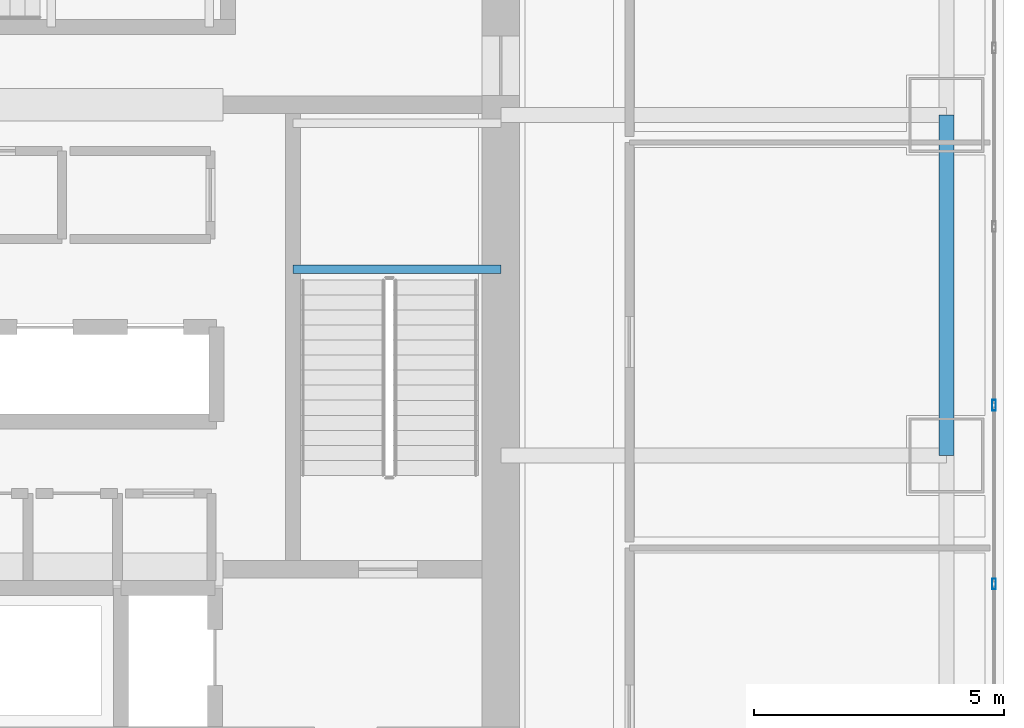
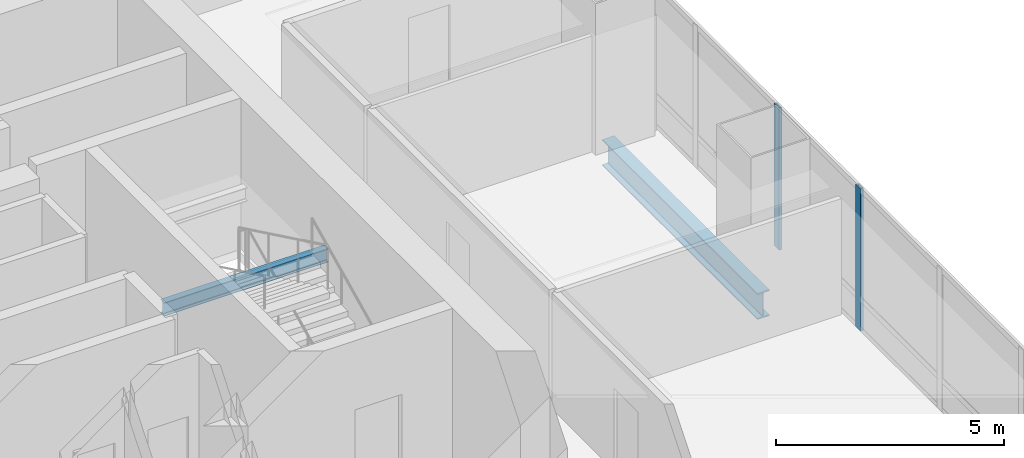
# One storey, part 15 of 35: 2 beams, 2 members, 1 element without a shape of its own.
"""IFC4 building model written with IfcOpenShell, lengths in metres."""

from ifc_helpers import new_model, si_unit, direction, frame, origin, origin_2d, place, context, subcontext, project, spatial, hollow_rectangle, i_section, extrude, material, material_profile, profile_set, type_object, element, aggregate, save


model = new_model("IFC4")

# Units and contexts
model_context = context("Model", 3, precision=1e-05, world=origin(), true_north=direction((0.0, 1.0)))
body_context = subcontext(model_context, "Body", "Model", "MODEL_VIEW")
ifc_project = project(units=[si_unit("LENGTHUNIT", "METRE"), si_unit("AREAUNIT", "SQUARE_METRE"), si_unit("VOLUMEUNIT", "CUBIC_METRE"), si_unit("PLANEANGLEUNIT", "RADIAN"), si_unit("MASSUNIT", "GRAM", prefix="KILO")], contexts=[model_context])

# Site, building, storey
site_placement = place(None, origin())
site = spatial("IfcSite", under=ifc_project, at=site_placement, CompositionType="ELEMENT")
building_placement = place(site_placement, origin())
building = spatial("IfcBuilding", under=site, at=building_placement, Name="Punatoya Terracotta Tower", CompositionType="ELEMENT")
storey_placement = place(building_placement, frame((0.0, 0.0, 52.5)))
storey = spatial("IfcBuildingStorey", under=building, at=storey_placement, Name="L11", CompositionType="ELEMENT", Elevation=52.5)

# Beams
ifc_material_1 = material(Name="Steel S355", Category="steel")
ifc_material_profile_1 = material_profile(ifc_material_1, i_section(OverallWidth=0.300048828125, OverallDepth=0.699951171875, WebThickness=0.01708984375, FlangeThickness=0.031982421875, FilletRadius=0.01806640625, at=origin_2d()))
ifc_profile_set_1 = profile_set([ifc_material_profile_1], Name="Steel S355")
beam_type_1 = type_object("IfcBeamType", Name="BM-PRI-700", PredefinedType="BEAM", material=ifc_profile_set_1)
beam_1_placement = place(storey_placement, frame((19.10009765625, -3.39990234375, -0.590087890625), z_axis=(0.0, 1.0, 0.0), x_axis=(-1.0, 0.0, 0.0)))
element("IfcBeam", 1, at=beam_1_placement, inside=storey, type_object=beam_type_1, Name="BM-L11-RG-E2", PredefinedType="BEAM", context=body_context, shape_type="SweptSolid", body=[
    extrude(i_section(OverallWidth=0.300048828125, OverallDepth=0.699951171875, WebThickness=0.01708984375, FlangeThickness=0.031982421875, FilletRadius=0.01806640625, at=origin_2d()), origin(), (0.0, 0.0, 1.0), 6.7998046875),
])
ifc_material_profile_2 = material_profile(ifc_material_1, i_section(OverallWidth=0.169921875, OverallDepth=0.360107421875, WebThickness=0.008056640625, FlangeThickness=0.0126953125, FilletRadius=0.01806640625, at=origin_2d()))
ifc_profile_set_2 = profile_set([ifc_material_profile_2], Name="Steel S355")
beam_type_2 = type_object("IfcBeamType", Name="BM-SEC-360", PredefinedType="JOIST", material=ifc_profile_set_2)
beam_2_placement = place(storey_placement, frame((6.050048828125, 0.320068359375, 1.64501953125), z_axis=(1.0, 0.0, 0.0), x_axis=(0.0, 1.0, 0.0)))
element("IfcBeam", 2, at=beam_2_placement, inside=storey, type_object=beam_type_2, Name="BM-L11-ST-2-LD1A", PredefinedType="JOIST", context=body_context, shape_type="SweptSolid", body=[
    extrude(i_section(OverallWidth=0.169921875, OverallDepth=0.360107421875, WebThickness=0.008056640625, FlangeThickness=0.0126953125, FilletRadius=0.01806640625, at=origin_2d()), origin(), (0.0, 0.0, 1.0), 4.14990234375),
])

# Curtain wall, members
ifc_material_2 = material(Name="Aluminium 6063-T6 + Double Low-E Glass", Category="aluminium")
curtain_wall_type = type_object("IfcCurtainWallType", Name="CW-M1", PredefinedType="NOTDEFINED", material=ifc_material_2)
curtain_wall_placement = place(storey_placement, origin())
curtain_wall = element("IfcCurtainWall", 3, at=curtain_wall_placement, inside=storey, type_object=curtain_wall_type, Name="L11 Curtain Wall CW-L11-E05-1", PredefinedType="NOTDEFINED")
ifc_material_3 = material(Name="Aluminium 6063-T6", Category="aluminium")
ifc_material_profile_3 = material_profile(ifc_material_3, hollow_rectangle(XDim=0.074951171875, YDim=0.2099609375, WallThickness=0.00439453125, at=origin_2d()))
ifc_profile_set_3 = profile_set([ifc_material_profile_3], Name="Aluminium 6063-T6")
member_type = type_object("IfcMemberType", Name="CW-MUL-M1", PredefinedType="MULLION", material=ifc_profile_set_3)
member_1_placement = place(storey_placement, frame((20.050048828125, -5.96728515625, 0.0), z_axis=(0.0, 0.0, 1.0), x_axis=(1.0, 0.0, 0.0)))
member_1 = element("IfcMember", 4, at=member_1_placement, type_object=member_type, Name="CW-L11-E05-1 Mullion 04", PredefinedType="MULLION", context=body_context, shape_type="SweptSolid", body=[
    extrude(hollow_rectangle(XDim=0.074951171875, YDim=0.2099609375, WallThickness=0.00439453125, at=origin_2d()), origin(), (0.0, 0.0, 1.0), 3.81005859375),
])
member_2_placement = place(storey_placement, frame((20.050048828125, -2.39990234375, 0.0), z_axis=(0.0, 0.0, 1.0), x_axis=(1.0, 0.0, 0.0)))
member_2 = element("IfcMember", 5, at=member_2_placement, type_object=member_type, Name="CW-L11-E05-1 Mullion 05", PredefinedType="MULLION", context=body_context, shape_type="SweptSolid", body=[
    extrude(hollow_rectangle(XDim=0.074951171875, YDim=0.2099609375, WallThickness=0.00439453125, at=origin_2d()), origin(), (0.0, 0.0, 1.0), 3.81005859375),
])
aggregate(curtain_wall, [member_1, member_2])

save(model, "model.ifc")
